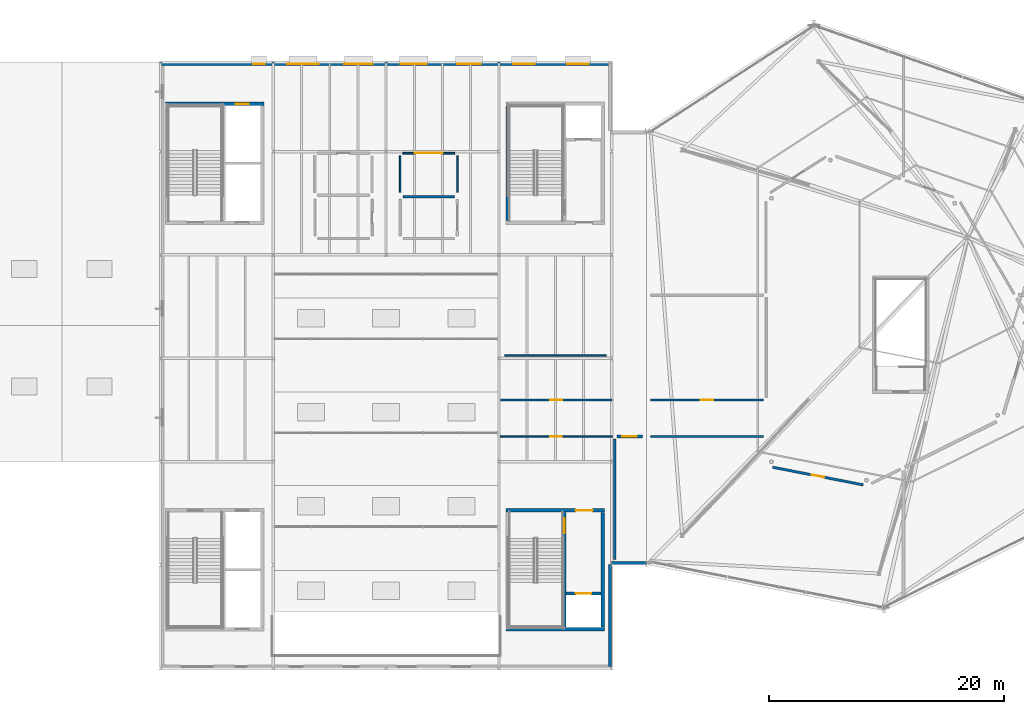
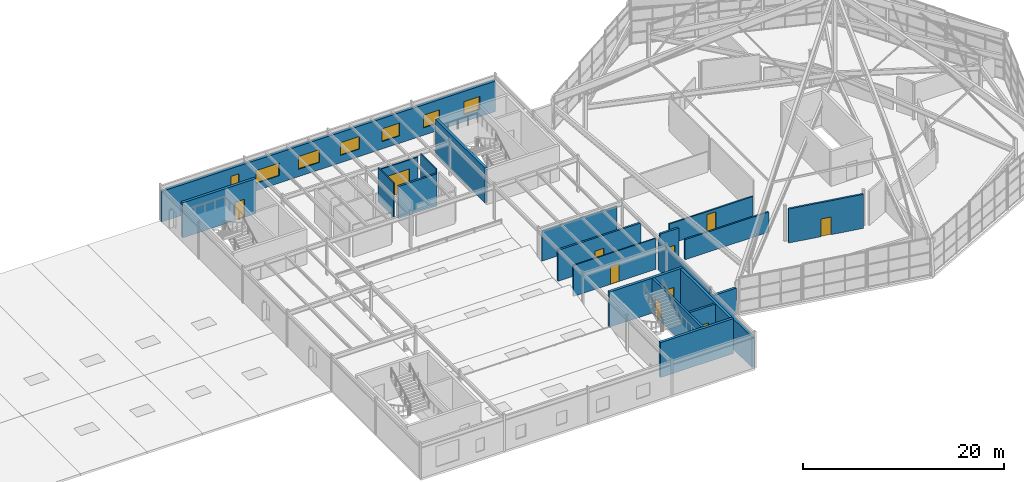
# One storey, part 42 of 50: 22 walls, 10 doors, 7 windows, 17 openings.
"""IFC4 building model written with IfcOpenShell, lengths in metres."""

from ifc_helpers import new_model, si_unit, direction, frame, frame_2d, origin, place, context, subcontext, project, spatial, rectangle, extrude, material, layer, layer_set, type_object, element, fill, save


model = new_model("IFC4")

# Units and contexts
model_context = context("Model", 3, precision=1e-05, world=origin(), true_north=direction((0.0, 1.0)))
body_context = subcontext(model_context, "Body", "Model", "MODEL_VIEW")
ifc_project = project(units=[si_unit("LENGTHUNIT", "METRE"), si_unit("AREAUNIT", "SQUARE_METRE"), si_unit("VOLUMEUNIT", "CUBIC_METRE"), si_unit("PLANEANGLEUNIT", "RADIAN"), si_unit("MASSUNIT", "GRAM", prefix="KILO")], contexts=[model_context])

# Site, building, storey
site_placement = place(None, origin())
site = spatial("IfcSite", under=ifc_project, at=site_placement, CompositionType="ELEMENT")
building_placement = place(site_placement, origin())
building = spatial("IfcBuilding", under=site, at=building_placement, Name="Sarnbrook Museum", CompositionType="ELEMENT")
storey_placement = place(building_placement, frame((0.0, 0.0, 28.10009765625)))
storey = spatial("IfcBuildingStorey", under=building, at=storey_placement, Name="L05", CompositionType="ELEMENT", Elevation=28.10009765625)

# Wall
ifc_material_1 = material(Name="Concrete N50 (AS 3600, f'c = 50 MPa)", Category="concrete")
ifc_layer_1 = layer(ifc_material_1, 0.300048828125)
ifc_layer_set_1 = layer_set([ifc_layer_1], Name="Concrete N50 (AS 3600, f'c = 50 MPa)")
wall_type_1 = type_object("IfcWallType", Name="CoreWall_CWRC", PredefinedType="SHEAR", material=ifc_layer_set_1)
wall_1_placement = place(storey_placement, frame((110.199951171875, 60.14990234375, 0.0), z_axis=(0.0, 0.0, 1.0), x_axis=(1.0, 0.0, 0.0)))
element("IfcWall", 1, at=wall_1_placement, inside=storey, type_object=wall_type_1, Name="Core C1 Shear Wall S L05", PredefinedType="SHEAR", context=body_context, shape_type="SweptSolid", body=[
    extrude(rectangle(XDim=8.400146484375, YDim=0.300048828125, at=frame_2d((4.2001953125, 0.0))), origin(), (0.0, 0.0, 1.0), 4.244873046875),
])

# Wall, opening, door
wall_2_placement = place(storey_placement, frame((118.60009765625, 70.25, 0.0), z_axis=(0.0, 0.0, 1.0), x_axis=(-1.0, 0.0, 0.0)))
wall_2 = element("IfcWall", 2, at=wall_2_placement, inside=storey, type_object=wall_type_1, Name="Core C1 Shear Wall N L05", PredefinedType="SHEAR", context=body_context, shape_type="SweptSolid", body=[
    extrude(rectangle(XDim=8.400146484375, YDim=0.300048828125, at=frame_2d((4.2001953125, 0.0))), origin(), (0.0, 0.0, 1.0), 4.244873046875),
])
opening_1_placement = place(wall_2_placement, frame((1.02490234375, 0.0, 0.0)))
opening_1 = element("IfcOpeningElement", 3, at=opening_1_placement, cuts=wall_2, Name="Opening D-LOB-C1-L05", PredefinedType="OPENING", context=body_context, shape_type="SweptSolid", body=[
    extrude(rectangle(XDim=1.449951171875, YDim=2.25, at=frame_2d((0.72509765625, 1.125))), frame((0.0, 0.16015625, 0.0), z_axis=(0.0, -1.0, 0.0), x_axis=(1.0, 0.0, 0.0)), (0.0, 0.0, 1.0), 0.320068359375),
])
ifc_material_2 = material(Name="Tasmanian Oak Acoustic Timber", Category="wood")
door_type_1 = type_object("IfcDoorType", Name="FireDoor_FD120W", OperationType="NOTDEFINED", PredefinedType="DOOR", material=ifc_material_2)
door_1_placement = place(opening_1_placement, origin())
door_1 = element("IfcDoor", 4, at=door_1_placement, inside=storey, type_object=door_type_1, Name="Core C1 Fire Lobby Entry Door L05", OperationType="SINGLE_SWING_RIGHT", OverallHeight=2.25, OverallWidth=1.449951171875, PredefinedType="DOOR", context=body_context, shape_type="SweptSolid", body=[
    extrude(rectangle(XDim=1.449951171875, YDim=2.25, at=frame_2d((0.72509765625, 1.125))), frame((0.0, 0.02490234375, 0.0), z_axis=(0.0, -1.0, 0.0), x_axis=(1.0, 0.0, 0.0)), (0.0, 0.0, 1.0), 0.050048828125),
])
fill(opening_1, door_1)

# Walls
for number, where, z_axis, x_axis, name in (
    (5, (118.449951171875, 60.31005859375, 0.0), (0.0, 0.0, 1.0), (0.0, 1.0, 0.0), "Core C1 Shear Wall E L05"),
    (6, (110.35009765625, 104.68994140625, 0.0), (0.0, 0.0, 1.0), (0.0, -1.0, 0.0), "Core C2 Shear Wall W L05"),
):
    element("IfcWall", number, at=place(storey_placement, frame(where, z_axis=z_axis, x_axis=x_axis)), inside=storey, type_object=wall_type_1, Name=name, PredefinedType="SHEAR", context=body_context, shape_type="SweptSolid", body=[
        extrude(rectangle(XDim=9.780029296875, YDim=0.300048828125, at=frame_2d((4.89013671875, 0.0))), origin(), (0.0, 0.0, 1.0), 4.244873046875),
    ])

# Wall, opening, door
wall_3_placement = place(storey_placement, frame((89.60009765625, 104.85009765625, 0.0), z_axis=(0.0, 0.0, 1.0), x_axis=(-1.0, 0.0, 0.0)))
wall_3 = element("IfcWall", 7, at=wall_3_placement, inside=storey, type_object=wall_type_1, Name="Core C4 Shear Wall N L05", PredefinedType="SHEAR", context=body_context, shape_type="SweptSolid", body=[
    extrude(rectangle(XDim=8.400146484375, YDim=0.300048828125, at=frame_2d((4.2001953125, 0.0))), origin(), (0.0, 0.0, 1.0), 4.244873046875),
])
opening_2_placement = place(wall_3_placement, frame((1.300048828125, 0.0, 0.0)))
opening_2 = element("IfcOpeningElement", 8, at=opening_2_placement, cuts=wall_3, Name="Opening LD-PL4-L05", PredefinedType="OPENING", context=body_context, shape_type="SweptSolid", body=[
    extrude(rectangle(XDim=1.10009765625, YDim=2.199951171875, at=frame_2d((0.550048828125, 1.10009765625))), frame((0.0, 0.16015625, 0.0), z_axis=(0.0, -1.0, 0.0), x_axis=(1.0, 0.0, 0.0)), (0.0, 0.0, 1.0), 0.320068359375),
])
ifc_material_3 = material(Name="Brushed Stainless Steel Grade 316", Category="steel")
door_type_2 = type_object("IfcDoorType", Name="LiftDoor_Pax110", OperationType="DOUBLE_DOOR_SLIDING", PredefinedType="DOOR", material=ifc_material_3)
door_2_placement = place(opening_2_placement, origin())
door_2 = element("IfcDoor", 9, at=door_2_placement, inside=storey, type_object=door_type_2, Name="Lift Landing Sliding Door LD-PL4-L05", OperationType="DOUBLE_DOOR_SLIDING", OverallHeight=2.199951171875, OverallWidth=1.10009765625, PredefinedType="DOOR", context=body_context, shape_type="SweptSolid", body=[
    extrude(rectangle(XDim=1.10009765625, YDim=2.199951171875, at=frame_2d((0.550048828125, 1.10009765625))), frame((0.0, 0.02490234375, 0.0), z_axis=(0.0, -1.0, 0.0), x_axis=(1.0, 0.0, 0.0)), (0.0, 0.0, 1.0), 0.050048828125),
])
fill(opening_2, door_2)

# Wall
ifc_material_4 = material(Name="Fire-Rated Acoustic Gypsum Plasterboard")
ifc_layer_2 = layer(ifc_material_4, 0.1201171875)
ifc_layer_set_2 = layer_set([ifc_layer_2], Name="Fire-Rated Acoustic Gypsum Plasterboard")
wall_type_2 = type_object("IfcWallType", Name="PartWall_P120", PredefinedType="PARTITIONING", material=ifc_layer_set_2)
wall_4_placement = place(storey_placement, frame((101.18994140625, 97.320068359375, 0.0), z_axis=(0.0, 0.0, 1.0), x_axis=(0.0, 1.0, 0.0)))
element("IfcWall", 10, at=wall_4_placement, inside=storey, type_object=wall_type_2, Name="Interior Partition Wall L05-0811", PredefinedType="PARTITIONING", context=body_context, shape_type="SweptSolid", body=[
    extrude(rectangle(XDim=3.10986328125, YDim=0.1201171875, at=frame_2d((1.554931640625, 0.0))), origin(), (0.0, 0.0, 1.0), 4.1298828125),
])

# Wall, opening, door
wall_5_placement = place(storey_placement, frame((109.719970703125, 76.550048828125, 0.0), z_axis=(0.0, 0.0, 1.0), x_axis=(1.0, 0.0, 0.0)))
wall_5 = element("IfcWall", 11, at=wall_5_placement, inside=storey, type_object=wall_type_2, Name="Interior Partition Wall L05-0832", PredefinedType="PARTITIONING", context=body_context, shape_type="SweptSolid", body=[
    extrude(rectangle(XDim=9.510009765625, YDim=0.1201171875, at=frame_2d((4.7548828125, 0.0))), origin(), (0.0, 0.0, 1.0), 3.762939453125),
])
opening_3_placement = place(wall_5_placement, frame((4.27001953125, 0.0, 0.0)))
opening_3 = element("IfcOpeningElement", 12, at=opening_3_placement, cuts=wall_5, Name="Opening D-L05-236", PredefinedType="OPENING", context=body_context, shape_type="SweptSolid", body=[
    extrude(rectangle(XDim=0.969970703125, YDim=2.159912109375, at=frame_2d((0.48486328125, 1.080078125))), frame((0.0, 0.070068359375, 0.0), z_axis=(0.0, -1.0, 0.0), x_axis=(1.0, 0.0, 0.0)), (0.0, 0.0, 1.0), 0.14013671875),
])
door_type_3 = type_object("IfcDoorType", Name="IntDoor_DT08", OperationType="NOTDEFINED", PredefinedType="DOOR", material=ifc_material_2)
door_3_placement = place(opening_3_placement, origin())
door_3 = element("IfcDoor", 13, at=door_3_placement, inside=storey, type_object=door_type_3, Name="Panoramic Melbourne Observatory Hall L05-6 Door D-L05-236", OperationType="SINGLE_SWING_RIGHT", OverallHeight=2.159912109375, OverallWidth=0.969970703125, PredefinedType="DOOR", context=body_context, shape_type="SweptSolid", body=[
    extrude(rectangle(XDim=0.969970703125, YDim=2.159912109375, at=frame_2d((0.48486328125, 1.080078125))), frame((0.0, 0.02490234375, 0.0), z_axis=(0.0, -1.0, 0.0), x_axis=(1.0, 0.0, 0.0)), (0.0, 0.0, 1.0), 0.050048828125),
])
fill(opening_3, door_3)

# Walls
wall_6_placement = place(storey_placement, frame((118.719970703125, 83.419921875, 0.0), z_axis=(0.0, 0.0, 1.0), x_axis=(-1.0, 0.0, 0.0)))
element("IfcWall", 14, at=wall_6_placement, inside=storey, type_object=wall_type_2, Name="Interior Partition Wall L05-0839", PredefinedType="PARTITIONING", context=body_context, shape_type="SweptSolid", body=[
    extrude(rectangle(XDim=8.639892578125, YDim=0.1201171875, at=frame_2d((4.31982421875, 0.0))), origin(), (0.0, 0.0, 1.0), 3.68701171875),
])
ifc_layer_3 = layer(ifc_material_4, 0.135009765625)
ifc_layer_set_3 = layer_set([ifc_layer_3], Name="Fire-Rated Acoustic Gypsum Plasterboard")
wall_type_3 = type_object("IfcWallType", Name="PartWall_P135", PredefinedType="PARTITIONING", material=ifc_layer_set_3)
wall_7_placement = place(storey_placement, frame((106.06005859375, 100.429931640625, 0.0), z_axis=(0.0, 0.0, 1.0), x_axis=(0.0, -1.0, 0.0)))
element("IfcWall", 15, at=wall_7_placement, inside=storey, type_object=wall_type_3, Name="Interior Partition Wall L05-0810", PredefinedType="PARTITIONING", context=body_context, shape_type="SweptSolid", body=[
    extrude(rectangle(XDim=3.10986328125, YDim=0.135009765625, at=frame_2d((1.554931640625, 0.0))), origin(), (0.0, 0.0, 1.0), 4.1298828125),
])

# Wall, opening, door
ifc_layer_4 = layer(ifc_material_4, 0.14990234375)
ifc_layer_set_4 = layer_set([ifc_layer_4], Name="Fire-Rated Acoustic Gypsum Plasterboard")
wall_type_4 = type_object("IfcWallType", Name="PartWall_P150", PredefinedType="PARTITIONING", material=ifc_layer_set_4)
wall_8_placement = place(storey_placement, frame((101.419921875, 100.659912109375, 0.0), z_axis=(0.0, 0.0, 1.0), x_axis=(1.0, 0.0, 0.0)))
wall_8 = element("IfcWall", 16, at=wall_8_placement, inside=storey, type_object=wall_type_4, Name="Interior Partition Wall L05-0809", PredefinedType="PARTITIONING", context=body_context, shape_type="SweptSolid", body=[
    extrude(rectangle(XDim=4.41015625, YDim=0.14990234375, at=frame_2d((2.205078125, 0.0))), origin(), (0.0, 0.0, 1.0), 3.68701171875),
])
opening_4_placement = place(wall_8_placement, frame((1.0048828125, 0.0, 0.0)))
opening_4 = element("IfcOpeningElement", 17, at=opening_4_placement, cuts=wall_8, Name="Opening D-L05-228", PredefinedType="OPENING", context=body_context, shape_type="SweptSolid", body=[
    extrude(rectangle(XDim=2.39990234375, YDim=2.580078125, at=frame_2d((1.199951171875, 1.2900390625))), frame((0.0, 0.0849609375, 0.0), z_axis=(0.0, -1.0, 0.0), x_axis=(1.0, 0.0, 0.0)), (0.0, 0.0, 1.0), 0.169921875),
])
door_type_4 = type_object("IfcDoorType", Name="IntDoor_DT38", OperationType="NOTDEFINED", PredefinedType="DOOR", material=ifc_material_2)
door_4_placement = place(opening_4_placement, frame((2.39990234375, 0.0, 0.0), z_axis=(0.0, 0.0, 1.0), x_axis=(-1.0, 0.0, 0.0)))
door_4 = element("IfcDoor", 18, at=door_4_placement, inside=storey, type_object=door_type_4, Name="Public Female Toilets L05 Door D-L05-228", OperationType="DOUBLE_DOOR_SINGLE_SWING", OverallHeight=2.580078125, OverallWidth=2.39990234375, PredefinedType="DOOR", context=body_context, shape_type="SweptSolid", body=[
    extrude(rectangle(XDim=2.39990234375, YDim=2.580078125, at=frame_2d((1.199951171875, 1.2900390625))), frame((0.0, 0.02490234375, 0.0), z_axis=(0.0, -1.0, 0.0), x_axis=(1.0, 0.0, 0.0)), (0.0, 0.0, 1.0), 0.050048828125),
])
fill(opening_4, door_4)

ifc_layer_5 = layer(ifc_material_4, 0.1650390625)
ifc_layer_set_5 = layer_set([ifc_layer_5], Name="Fire-Rated Acoustic Gypsum Plasterboard")
wall_type_5 = type_object("IfcWallType", Name="PartWall_P165", PredefinedType="PARTITIONING", material=ifc_layer_set_5)
wall_9_placement = place(storey_placement, frame((132.1201171875, 79.64990234375, 0.0), z_axis=(0.0, 0.0, 1.0), x_axis=(-1.0, 0.0, 0.0)))
wall_9 = element("IfcWall", 19, at=wall_9_placement, inside=storey, type_object=wall_type_5, Name="Interior Partition Wall L05-0822", PredefinedType="PARTITIONING", context=body_context, shape_type="SweptSolid", body=[
    extrude(rectangle(XDim=9.597900390625, YDim=0.1650390625, at=frame_2d((4.798828125, 0.0))), origin(), (0.0, 0.0, 1.0), 2.449951171875),
])
opening_5_placement = place(wall_9_placement, frame((4.27880859375, 0.0, 0.0)))
opening_5 = element("IfcOpeningElement", 20, at=opening_5_placement, cuts=wall_9, Name="Opening D-L05-232", PredefinedType="OPENING", context=body_context, shape_type="SweptSolid", body=[
    extrude(rectangle(XDim=1.0400390625, YDim=2.080078125, at=frame_2d((0.52001953125, 1.0400390625))), frame((0.0, 0.092529296875, 0.0), z_axis=(0.0, -1.0, 0.0), x_axis=(1.0, 0.0, 0.0)), (0.0, 0.0, 1.0), 0.18505859375),
])
door_type_5 = type_object("IfcDoorType", Name="IntDoor_DT04", OperationType="NOTDEFINED", PredefinedType="DOOR", material=ifc_material_2)
door_5_placement = place(opening_5_placement, frame((1.0400390625, 0.0, 0.0), z_axis=(0.0, 0.0, 1.0), x_axis=(-1.0, 0.0, 0.0)))
door_5 = element("IfcDoor", 21, at=door_5_placement, inside=storey, type_object=door_type_5, Name="Panoramic Melbourne Observatory Hall L05-2 Door D-L05-232", OperationType="SINGLE_SWING_RIGHT", OverallHeight=2.080078125, OverallWidth=1.0400390625, PredefinedType="DOOR", context=body_context, shape_type="SweptSolid", body=[
    extrude(rectangle(XDim=1.0400390625, YDim=2.080078125, at=frame_2d((0.52001953125, 1.0400390625))), frame((0.0, 0.02490234375, 0.0), z_axis=(0.0, -1.0, 0.0), x_axis=(1.0, 0.0, 0.0)), (0.0, 0.0, 1.0), 0.050048828125),
])
fill(opening_5, door_5)

# Walls
ifc_layer_6 = layer(ifc_material_4, 0.179931640625)
ifc_layer_set_6 = layer_set([ifc_layer_6], Name="Fire-Rated Acoustic Gypsum Plasterboard")
wall_type_6 = type_object("IfcWallType", Name="PartWall_P180", PredefinedType="PARTITIONING", material=ifc_layer_set_6)
wall_10_placement = place(storey_placement, frame((122.522216796875, 76.550048828125, 0.0), z_axis=(0.0, 0.0, 1.0), x_axis=(1.0, 0.0, 0.0)))
element("IfcWall", 22, at=wall_10_placement, inside=storey, type_object=wall_type_6, Name="Interior Partition Wall L05-0821", PredefinedType="PARTITIONING", context=body_context, shape_type="SweptSolid", body=[
    extrude(rectangle(XDim=9.597900390625, YDim=0.179931640625, at=frame_2d((4.798828125, 0.0))), origin(), (0.0, 0.0, 1.0), 2.449951171875),
])
ifc_layer_7 = layer(ifc_material_4, 0.2099609375)
ifc_layer_set_7 = layer_set([ifc_layer_7], Name="Fire-Rated Acoustic Gypsum Plasterboard")
wall_type_7 = type_object("IfcWallType", Name="PartWall_P210", PredefinedType="PARTITIONING", material=ifc_layer_set_7)
wall_11_placement = place(storey_placement, frame((101.419921875, 96.9599609375, 0.0), z_axis=(0.0, 0.0, 1.0), x_axis=(1.0, 0.0, 0.0)))
element("IfcWall", 23, at=wall_11_placement, inside=storey, type_object=wall_type_7, Name="Interior Partition Wall L05-0805", PredefinedType="PARTITIONING", context=body_context, shape_type="SweptSolid", body=[
    extrude(rectangle(XDim=4.41015625, YDim=0.2099609375, at=frame_2d((2.205078125, 0.0))), origin(), (0.0, 0.0, 1.0), 3.912841796875),
])

# Wall, opening, door
wall_12_placement = place(storey_placement, frame((132.902099609375, 73.9267578125, 0.0), z_axis=(0.0, 0.0, 1.0), x_axis=(0.98152920164, -0.191312378918, 0.0)))
wall_12 = element("IfcWall", 24, at=wall_12_placement, inside=storey, type_object=wall_type_7, Name="Interior Partition Wall L05-0819", PredefinedType="PARTITIONING", context=body_context, shape_type="SweptSolid", body=[
    extrude(rectangle(XDim=7.85205078125, YDim=0.2099609375, at=frame_2d((3.926025390625, 0.0))), origin(), (0.0, 0.0, 1.0), 4.1298828125),
])
opening_6_placement = place(wall_12_placement, frame((3.401123046875, 0.0, 0.0)))
opening_6 = element("IfcOpeningElement", 25, at=opening_6_placement, cuts=wall_12, Name="Opening D-L05-231", PredefinedType="OPENING", context=body_context, shape_type="SweptSolid", body=[
    extrude(rectangle(XDim=1.050048828125, YDim=2.14990234375, at=frame_2d((0.52490234375, 1.074951171875))), frame((0.0, 0.114990234375, 0.0), z_axis=(0.0, -1.0, 0.0), x_axis=(1.0, 0.0, 0.0)), (0.0, 0.0, 1.0), 0.22998046875),
])
door_type_6 = type_object("IfcDoorType", Name="FireDoor_FD60", OperationType="NOTDEFINED", PredefinedType="DOOR", material=ifc_material_2)
door_6_placement = place(opening_6_placement, origin())
door_6 = element("IfcDoor", 26, at=door_6_placement, inside=storey, type_object=door_type_6, Name="Belvedere Sky-Lit Natural Art Gallery L05-1 Door D-L05-231", OperationType="SINGLE_SWING_LEFT", OverallHeight=2.14990234375, OverallWidth=1.050048828125, PredefinedType="DOOR", context=body_context, shape_type="SweptSolid", body=[
    extrude(rectangle(XDim=1.050048828125, YDim=2.14990234375, at=frame_2d((0.52490234375, 1.074951171875))), frame((0.0, 0.02490234375, 0.0), z_axis=(0.0, -1.0, 0.0), x_axis=(1.0, 0.0, 0.0)), (0.0, 0.0, 1.0), 0.050048828125),
])
fill(opening_6, door_6)

wall_13_placement = place(storey_placement, frame((119.22998046875, 79.64990234375, 0.0), z_axis=(0.0, 0.0, 1.0), x_axis=(-1.0, 0.0, 0.0)))
wall_13 = element("IfcWall", 27, at=wall_13_placement, inside=storey, type_object=wall_type_7, Name="Interior Partition Wall L05-0833", PredefinedType="PARTITIONING", context=body_context, shape_type="SweptSolid", body=[
    extrude(rectangle(XDim=9.510009765625, YDim=0.2099609375, at=frame_2d((4.7548828125, 0.0))), origin(), (0.0, 0.0, 1.0), 3.762939453125),
])
opening_7_placement = place(wall_13_placement, frame((4.239990234375, 0.0, 0.0)))
opening_7 = element("IfcOpeningElement", 28, at=opening_7_placement, cuts=wall_13, Name="Opening D-L05-237", PredefinedType="OPENING", context=body_context, shape_type="SweptSolid", body=[
    extrude(rectangle(XDim=1.030029296875, YDim=2.159912109375, at=frame_2d((0.51513671875, 1.080078125))), frame((0.0, 0.114990234375, 0.0), z_axis=(0.0, -1.0, 0.0), x_axis=(1.0, 0.0, 0.0)), (0.0, 0.0, 1.0), 0.22998046875),
])
door_type_7 = type_object("IfcDoorType", Name="IntDoor_DT09", OperationType="NOTDEFINED", PredefinedType="DOOR", material=ifc_material_2)
door_7_placement = place(opening_7_placement, frame((1.030029296875, 0.0, 0.0), z_axis=(0.0, 0.0, 1.0), x_axis=(-1.0, 0.0, 0.0)))
door_7 = element("IfcDoor", 29, at=door_7_placement, inside=storey, type_object=door_type_7, Name="Members' Reading & Salon Pavilion L05-7 Door D-L05-237", OperationType="SINGLE_SWING_LEFT", OverallHeight=2.159912109375, OverallWidth=1.030029296875, PredefinedType="DOOR", context=body_context, shape_type="SweptSolid", body=[
    extrude(rectangle(XDim=1.030029296875, YDim=2.159912109375, at=frame_2d((0.51513671875, 1.080078125))), frame((0.0, 0.02490234375, 0.0), z_axis=(0.0, -1.0, 0.0), x_axis=(1.0, 0.0, 0.0)), (0.0, 0.0, 1.0), 0.050048828125),
])
fill(opening_7, door_7)

ifc_material_5 = material(Name="Concrete N40 (AS 3600, f'c = 40 MPa)", Category="concrete")
ifc_layer_8 = layer(ifc_material_5, 0.239990234375)
ifc_layer_set_8 = layer_set([ifc_layer_8], Name="Concrete N40 (AS 3600, f'c = 40 MPa)")
wall_type_8 = type_object("IfcWallType", Name="ShaftWall_SWRC", PredefinedType="SOLIDWALL", material=ifc_layer_set_8)
wall_14_placement = place(storey_placement, frame((115.18994140625, 60.31005859375, 0.0), z_axis=(0.0, 0.0, 1.0), x_axis=(0.0, 1.0, 0.0)))
wall_14 = element("IfcWall", 30, at=wall_14_placement, inside=storey, type_object=wall_type_8, Name="Stairwell ST1 Fire Shaft Wall L05", PredefinedType="SOLIDWALL", context=body_context, shape_type="SweptSolid", body=[
    extrude(rectangle(XDim=9.780029296875, YDim=0.239990234375, at=frame_2d((4.89013671875, 0.0))), origin(), (0.0, 0.0, 1.0), 4.244873046875),
])
opening_8_placement = place(wall_14_placement, frame((8.014892578125, 0.0, 0.0)))
opening_8 = element("IfcOpeningElement", 31, at=opening_8_placement, cuts=wall_14, Name="Opening D-ST-ST1-L05", PredefinedType="OPENING", context=body_context, shape_type="SweptSolid", body=[
    extrude(rectangle(XDim=1.25, YDim=2.199951171875, at=frame_2d((0.625, 1.10009765625))), frame((0.0, 0.1298828125, 0.0), z_axis=(0.0, -1.0, 0.0), x_axis=(1.0, 0.0, 0.0)), (0.0, 0.0, 1.0), 0.260009765625),
])
door_type_8 = type_object("IfcDoorType", Name="FireDoor_FD120", OperationType="NOTDEFINED", PredefinedType="DOOR", material=ifc_material_2)
door_8_placement = place(opening_8_placement, origin())
door_8 = element("IfcDoor", 32, at=door_8_placement, inside=storey, type_object=door_type_8, Name="Exit Stair ST1 Fire Door L05", OperationType="SINGLE_SWING_LEFT", OverallHeight=2.199951171875, OverallWidth=1.25, PredefinedType="DOOR", context=body_context, shape_type="SweptSolid", body=[
    extrude(rectangle(XDim=1.25, YDim=2.199951171875, at=frame_2d((0.625, 1.10009765625))), frame((0.0, 0.02490234375, 0.0), z_axis=(0.0, -1.0, 0.0), x_axis=(1.0, 0.0, 0.0)), (0.0, 0.0, 1.0), 0.050048828125),
])
fill(opening_8, door_8)

wall_15_placement = place(storey_placement, frame((115.320068359375, 63.179931640625, 0.0), z_axis=(0.0, 0.0, 1.0), x_axis=(1.0, 0.0, 0.0)))
wall_15 = element("IfcWall", 33, at=wall_15_placement, inside=storey, type_object=wall_type_8, Name="Lift EL1 Shaft Front Wall L05", PredefinedType="SOLIDWALL", context=body_context, shape_type="SweptSolid", body=[
    extrude(rectangle(XDim=2.969970703125, YDim=0.239990234375, at=frame_2d((1.48486328125, 0.0))), origin(), (0.0, 0.0, 1.0), 4.244873046875),
])
opening_9_placement = place(wall_15_placement, frame((0.8349609375, 0.0, 0.0)))
opening_9 = element("IfcOpeningElement", 34, at=opening_9_placement, cuts=wall_15, Name="Opening LD-EL1-L05", PredefinedType="OPENING", context=body_context, shape_type="SweptSolid", body=[
    extrude(rectangle(XDim=1.300048828125, YDim=2.25, at=frame_2d((0.64990234375, 1.125))), frame((0.0, 0.1298828125, 0.0), z_axis=(0.0, -1.0, 0.0), x_axis=(1.0, 0.0, 0.0)), (0.0, 0.0, 1.0), 0.260009765625),
])
door_type_9 = type_object("IfcDoorType", Name="LiftDoor_FF130", OperationType="DOUBLE_DOOR_SLIDING", PredefinedType="DOOR", material=ifc_material_3)
door_9_placement = place(opening_9_placement, origin())
door_9 = element("IfcDoor", 35, at=door_9_placement, inside=storey, type_object=door_type_9, Name="Lift Landing Sliding Door LD-EL1-L05", OperationType="DOUBLE_DOOR_SLIDING", OverallHeight=2.25, OverallWidth=1.300048828125, PredefinedType="DOOR", context=body_context, shape_type="SweptSolid", body=[
    extrude(rectangle(XDim=1.300048828125, YDim=2.25, at=frame_2d((0.64990234375, 1.125))), frame((0.0, 0.02490234375, 0.0), z_axis=(0.0, -1.0, 0.0), x_axis=(1.0, 0.0, 0.0)), (0.0, 0.0, 1.0), 0.050048828125),
])
fill(opening_9, door_9)

wall_16_placement = place(storey_placement, frame((119.64990234375, 76.550048828125, 0.0), z_axis=(0.0, 0.0, 1.0), x_axis=(1.0, 0.0, 0.0)))
wall_16 = element("IfcWall", 36, at=wall_16_placement, inside=storey, type_object=wall_type_8, Name="Interior Partition Wall L05-0834", PredefinedType="SOLIDWALL", context=body_context, shape_type="SweptSolid", body=[
    extrude(rectangle(XDim=2.15234375, YDim=0.239990234375, at=frame_2d((1.076171875, 0.0))), origin(), (0.0, 0.0, 1.0), 4.1298828125),
])
opening_10_placement = place(wall_16_placement, frame((0.451171875, 0.0, 0.0)))
opening_10 = element("IfcOpeningElement", 37, at=opening_10_placement, cuts=wall_16, Name="Opening D-L05-238", PredefinedType="OPENING", context=body_context, shape_type="SweptSolid", body=[
    extrude(rectangle(XDim=1.25, YDim=2.199951171875, at=frame_2d((0.625, 1.10009765625))), frame((0.0, 0.1298828125, 0.0), z_axis=(0.0, -1.0, 0.0), x_axis=(1.0, 0.0, 0.0)), (0.0, 0.0, 1.0), 0.260009765625),
])
door_10_placement = place(opening_10_placement, origin())
door_10 = element("IfcDoor", 38, at=door_10_placement, inside=storey, type_object=door_type_8, Name="Environmental AHU & Smoke Extract Plant L05-8 Door D-L05-238", OperationType="SINGLE_SWING_RIGHT", OverallHeight=2.199951171875, OverallWidth=1.25, PredefinedType="DOOR", context=body_context, shape_type="SweptSolid", body=[
    extrude(rectangle(XDim=1.25, YDim=2.199951171875, at=frame_2d((0.625, 1.10009765625))), frame((0.0, 0.02490234375, 0.0), z_axis=(0.0, -1.0, 0.0), x_axis=(1.0, 0.0, 0.0)), (0.0, 0.0, 1.0), 0.050048828125),
])
fill(opening_10, door_10)

# Walls
wall_17_placement = place(storey_placement, frame((119.4599609375, 76.320068359375, 0.0), z_axis=(0.0, 0.0, 1.0), x_axis=(0.0, -1.0, 0.0)))
element("IfcWall", 39, at=wall_17_placement, inside=storey, type_object=wall_type_8, Name="Interior Partition Wall L05-0840", PredefinedType="SOLIDWALL", context=body_context, shape_type="SweptSolid", body=[
    extrude(rectangle(XDim=10.239990234375, YDim=0.239990234375, at=frame_2d((5.1201171875, 0.0))), origin(), (0.0, 0.0, 1.0), 3.762939453125),
])
ifc_material_6 = material(Name="Victorian Bluestone Ashlar Masonry", Category="masonry")
ifc_layer_9 = layer(ifc_material_6, 0.280029296875)
ifc_layer_set_9 = layer_set([ifc_layer_9], Name="Victorian Bluestone Ashlar Masonry")
wall_type_9 = type_object("IfcWallType", Name="Wall_LimestoneClad280", PredefinedType="STANDARD", material=ifc_layer_set_9)
wall_18_placement = place(storey_placement, frame((119.06005859375, 56.946044921875, 0.0), z_axis=(0.0, 0.0, 1.0), x_axis=(0.0, 1.0, 0.0)))
element("IfcWall", 40, at=wall_18_placement, inside=storey, type_object=wall_type_9, Name="Classical Sandstone Facade Wall L05-02", PredefinedType="STANDARD", context=body_context, shape_type="SweptSolid", body=[
    extrude(rectangle(XDim=8.694580078125, YDim=0.280029296875, at=frame_2d((4.34716796875, 0.0))), origin(), (0.0, 0.0, 1.0), 3.701904296875),
])
wall_19_placement = place(storey_placement, frame((119.199951171875, 65.780517578125, 0.0), z_axis=(0.0, 0.0, 1.0), x_axis=(1.0, 0.0, 0.0)))
element("IfcWall", 41, at=wall_19_placement, inside=storey, type_object=wall_type_9, Name="Classical Sandstone Facade Wall L05-03", PredefinedType="STANDARD", context=body_context, shape_type="SweptSolid", body=[
    extrude(rectangle(XDim=2.962158203125, YDim=0.280029296875, at=frame_2d((1.48095703125, 0.0))), origin(), (0.0, 0.0, 1.0), 3.2548828125),
])

# Wall, openings, windows
wall_20_placement = place(storey_placement, frame((119.053955078125, 108.260009765625, 0.0), z_axis=(0.0, 0.0, 1.0), x_axis=(-1.0, 0.0, 0.0)))
wall_20 = element("IfcWall", 42, at=wall_20_placement, inside=storey, type_object=wall_type_9, Name="Classical Sandstone Facade Wall L05-06", PredefinedType="STANDARD", context=body_context, shape_type="SweptSolid", body=[
    extrude(rectangle(XDim=38.25390625, YDim=0.280029296875, at=frame_2d((19.126953125, 0.0))), origin(), (0.0, 0.0, 1.0), 3.701904296875),
])
opening_11_placement = place(wall_20_placement, frame((1.800048828125, 0.0, 0.89990234375)))
opening_11 = element("IfcOpeningElement", 43, at=opening_11_placement, cuts=wall_20, Name="Opening WT-06", PredefinedType="OPENING", context=body_context, shape_type="SweptSolid", body=[
    extrude(rectangle(XDim=1.820068359375, YDim=1.550048828125, at=frame_2d((0.91015625, 0.77490234375))), frame((0.0, 0.14990234375, 0.0), z_axis=(0.0, -1.0, 0.0), x_axis=(1.0, 0.0, 0.0)), (0.0, 0.0, 1.0), 0.300048828125),
])
opening_12_placement = place(wall_20_placement, frame((6.39990234375, 0.0, 0.89990234375)))
opening_12 = element("IfcOpeningElement", 44, at=opening_12_placement, cuts=wall_20, Name="Opening WT-07", PredefinedType="OPENING", context=body_context, shape_type="SweptSolid", body=[
    extrude(rectangle(XDim=1.85009765625, YDim=1.550048828125, at=frame_2d((0.925048828125, 0.77490234375))), frame((0.0, 0.14990234375, 0.0), z_axis=(0.0, -1.0, 0.0), x_axis=(1.0, 0.0, 0.0)), (0.0, 0.0, 1.0), 0.300048828125),
])
opening_13_placement = place(wall_20_placement, frame((11.0, 0.0, 0.89990234375)))
opening_13 = element("IfcOpeningElement", 45, at=opening_13_placement, cuts=wall_20, Name="Opening WT-08", PredefinedType="OPENING", context=body_context, shape_type="SweptSolid", body=[
    extrude(rectangle(XDim=2.0, YDim=1.550048828125, at=frame_2d((1.0, 0.77490234375))), frame((0.0, 0.14990234375, 0.0), z_axis=(0.0, -1.0, 0.0), x_axis=(1.0, 0.0, 0.0)), (0.0, 0.0, 1.0), 0.300048828125),
])
opening_14_placement = place(wall_20_placement, frame((15.60009765625, 0.0, 0.89990234375)))
opening_14 = element("IfcOpeningElement", 46, at=opening_14_placement, cuts=wall_20, Name="Opening WT-09", PredefinedType="OPENING", context=body_context, shape_type="SweptSolid", body=[
    extrude(rectangle(XDim=2.199951171875, YDim=1.550048828125, at=frame_2d((1.10009765625, 0.77490234375))), frame((0.0, 0.14990234375, 0.0), z_axis=(0.0, -1.0, 0.0), x_axis=(1.0, 0.0, 0.0)), (0.0, 0.0, 1.0), 0.300048828125),
])
opening_15_placement = place(wall_20_placement, frame((20.199951171875, 0.0, 0.89990234375)))
opening_15 = element("IfcOpeningElement", 47, at=opening_15_placement, cuts=wall_20, Name="Opening WT-10", PredefinedType="OPENING", context=body_context, shape_type="SweptSolid", body=[
    extrude(rectangle(XDim=2.39990234375, YDim=1.550048828125, at=frame_2d((1.199951171875, 0.77490234375))), frame((0.0, 0.14990234375, 0.0), z_axis=(0.0, -1.0, 0.0), x_axis=(1.0, 0.0, 0.0)), (0.0, 0.0, 1.0), 0.300048828125),
])
opening_16_placement = place(wall_20_placement, frame((24.800048828125, 0.0, 0.89990234375)))
opening_16 = element("IfcOpeningElement", 48, at=opening_16_placement, cuts=wall_20, Name="Opening WT-11", PredefinedType="OPENING", context=body_context, shape_type="SweptSolid", body=[
    extrude(rectangle(XDim=2.64990234375, YDim=1.550048828125, at=frame_2d((1.324951171875, 0.77490234375))), frame((0.0, 0.14990234375, 0.0), z_axis=(0.0, -1.0, 0.0), x_axis=(1.0, 0.0, 0.0)), (0.0, 0.0, 1.0), 0.300048828125),
])
opening_17_placement = place(wall_20_placement, frame((29.39990234375, 0.0, 0.89990234375)))
opening_17 = element("IfcOpeningElement", 49, at=opening_17_placement, cuts=wall_20, Name="Opening WT-12", PredefinedType="OPENING", context=body_context, shape_type="SweptSolid", body=[
    extrude(rectangle(XDim=0.949951171875, YDim=1.85009765625, at=frame_2d((0.47509765625, 0.925048828125))), frame((0.0, 0.14990234375, 0.0), z_axis=(0.0, -1.0, 0.0), x_axis=(1.0, 0.0, 0.0)), (0.0, 0.0, 1.0), 0.300048828125),
])
ifc_material_7 = material(Name="Double-Glazed Low-Iron Laminated Safety Glass", Category="glass")
window_type_1 = type_object("IfcWindowType", Name="Window_Classical_WT06", PartitioningType="SINGLE_PANEL", PredefinedType="WINDOW", material=ifc_material_7)
window_1_placement = place(opening_11_placement, origin())
window_1 = element("IfcWindow", 50, at=window_1_placement, inside=storey, type_object=window_type_1, Name="Classical Bronze Casement Window WIN:L05:0138", OverallHeight=1.550048828125, OverallWidth=1.820068359375, PartitioningType="SINGLE_PANEL", PredefinedType="WINDOW", context=body_context, shape_type="SweptSolid", body=[
    extrude(rectangle(XDim=1.820068359375, YDim=1.550048828125, at=frame_2d((0.91015625, 0.77490234375))), frame((0.0, 0.030029296875, 0.0), z_axis=(0.0, -1.0, 0.0), x_axis=(1.0, 0.0, 0.0)), (0.0, 0.0, 1.0), 0.06005859375),
])
fill(opening_11, window_1)
window_type_2 = type_object("IfcWindowType", Name="Window_Classical_WT07", PartitioningType="SINGLE_PANEL", PredefinedType="WINDOW", material=ifc_material_7)
window_2_placement = place(opening_12_placement, origin())
window_2 = element("IfcWindow", 51, at=window_2_placement, inside=storey, type_object=window_type_2, Name="Classical Bronze Casement Window WIN:L05:0139", OverallHeight=1.550048828125, OverallWidth=1.85009765625, PartitioningType="SINGLE_PANEL", PredefinedType="WINDOW", context=body_context, shape_type="SweptSolid", body=[
    extrude(rectangle(XDim=1.85009765625, YDim=1.550048828125, at=frame_2d((0.925048828125, 0.77490234375))), frame((0.0, 0.030029296875, 0.0), z_axis=(0.0, -1.0, 0.0), x_axis=(1.0, 0.0, 0.0)), (0.0, 0.0, 1.0), 0.06005859375),
])
fill(opening_12, window_2)
window_type_3 = type_object("IfcWindowType", Name="Window_Classical_WT08", PartitioningType="SINGLE_PANEL", PredefinedType="WINDOW", material=ifc_material_7)
window_3_placement = place(opening_13_placement, origin())
window_3 = element("IfcWindow", 52, at=window_3_placement, inside=storey, type_object=window_type_3, Name="Classical Bronze Casement Window WIN:L05:0140", OverallHeight=1.550048828125, OverallWidth=2.0, PartitioningType="SINGLE_PANEL", PredefinedType="WINDOW", context=body_context, shape_type="SweptSolid", body=[
    extrude(rectangle(XDim=2.0, YDim=1.550048828125, at=frame_2d((1.0, 0.77490234375))), frame((0.0, 0.030029296875, 0.0), z_axis=(0.0, -1.0, 0.0), x_axis=(1.0, 0.0, 0.0)), (0.0, 0.0, 1.0), 0.06005859375),
])
fill(opening_13, window_3)
window_type_4 = type_object("IfcWindowType", Name="Window_Classical_WT09", PartitioningType="SINGLE_PANEL", PredefinedType="WINDOW", material=ifc_material_7)
window_4_placement = place(opening_14_placement, origin())
window_4 = element("IfcWindow", 53, at=window_4_placement, inside=storey, type_object=window_type_4, Name="Classical Bronze Casement Window WIN:L05:0141", OverallHeight=1.550048828125, OverallWidth=2.199951171875, PartitioningType="SINGLE_PANEL", PredefinedType="WINDOW", context=body_context, shape_type="SweptSolid", body=[
    extrude(rectangle(XDim=2.199951171875, YDim=1.550048828125, at=frame_2d((1.10009765625, 0.77490234375))), frame((0.0, 0.030029296875, 0.0), z_axis=(0.0, -1.0, 0.0), x_axis=(1.0, 0.0, 0.0)), (0.0, 0.0, 1.0), 0.06005859375),
])
fill(opening_14, window_4)
window_type_5 = type_object("IfcWindowType", Name="Window_Classical_WT10", PartitioningType="SINGLE_PANEL", PredefinedType="WINDOW", material=ifc_material_7)
window_5_placement = place(opening_15_placement, origin())
window_5 = element("IfcWindow", 54, at=window_5_placement, inside=storey, type_object=window_type_5, Name="Classical Bronze Casement Window WIN:L05:0142", OverallHeight=1.550048828125, OverallWidth=2.39990234375, PartitioningType="SINGLE_PANEL", PredefinedType="WINDOW", context=body_context, shape_type="SweptSolid", body=[
    extrude(rectangle(XDim=2.39990234375, YDim=1.550048828125, at=frame_2d((1.199951171875, 0.77490234375))), frame((0.0, 0.030029296875, 0.0), z_axis=(0.0, -1.0, 0.0), x_axis=(1.0, 0.0, 0.0)), (0.0, 0.0, 1.0), 0.06005859375),
])
fill(opening_15, window_5)
window_type_6 = type_object("IfcWindowType", Name="Window_Classical_WT11", PartitioningType="SINGLE_PANEL", PredefinedType="WINDOW", material=ifc_material_7)
window_6_placement = place(opening_16_placement, origin())
window_6 = element("IfcWindow", 55, at=window_6_placement, inside=storey, type_object=window_type_6, Name="Classical Bronze Casement Window WIN:L05:0143", OverallHeight=1.550048828125, OverallWidth=2.64990234375, PartitioningType="SINGLE_PANEL", PredefinedType="WINDOW", context=body_context, shape_type="SweptSolid", body=[
    extrude(rectangle(XDim=2.64990234375, YDim=1.550048828125, at=frame_2d((1.324951171875, 0.77490234375))), frame((0.0, 0.030029296875, 0.0), z_axis=(0.0, -1.0, 0.0), x_axis=(1.0, 0.0, 0.0)), (0.0, 0.0, 1.0), 0.06005859375),
])
fill(opening_16, window_6)
window_type_7 = type_object("IfcWindowType", Name="Window_Classical_WT12", PartitioningType="SINGLE_PANEL", PredefinedType="WINDOW", material=ifc_material_7)
window_7_placement = place(opening_17_placement, origin())
window_7 = element("IfcWindow", 56, at=window_7_placement, inside=storey, type_object=window_type_7, Name="Classical Bronze Casement Window WIN:L05:0144", OverallHeight=1.85009765625, OverallWidth=0.949951171875, PartitioningType="SINGLE_PANEL", PredefinedType="WINDOW", context=body_context, shape_type="SweptSolid", body=[
    extrude(rectangle(XDim=0.949951171875, YDim=1.85009765625, at=frame_2d((0.47509765625, 0.925048828125))), frame((0.0, 0.030029296875, 0.0), z_axis=(0.0, -1.0, 0.0), x_axis=(1.0, 0.0, 0.0)), (0.0, 0.0, 1.0), 0.06005859375),
])
fill(opening_17, window_7)

save(model, "model.ifc")
